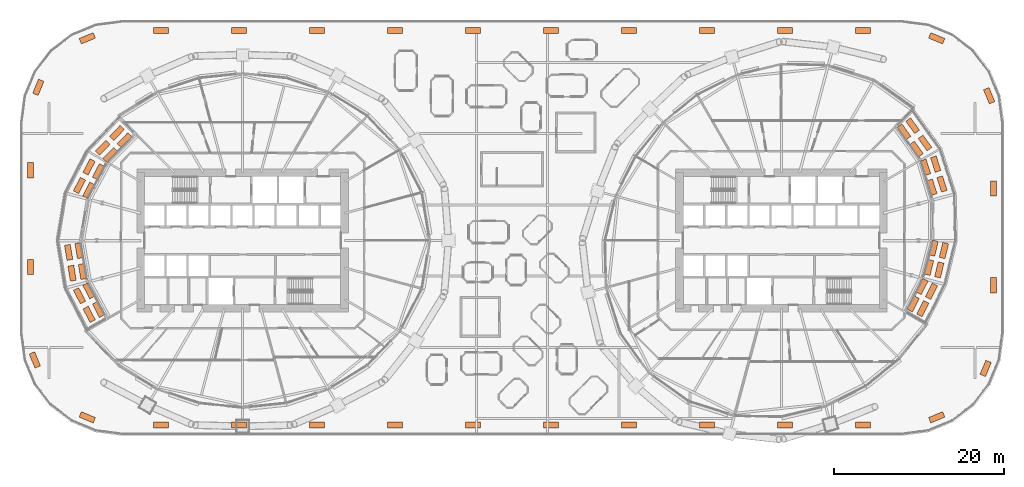
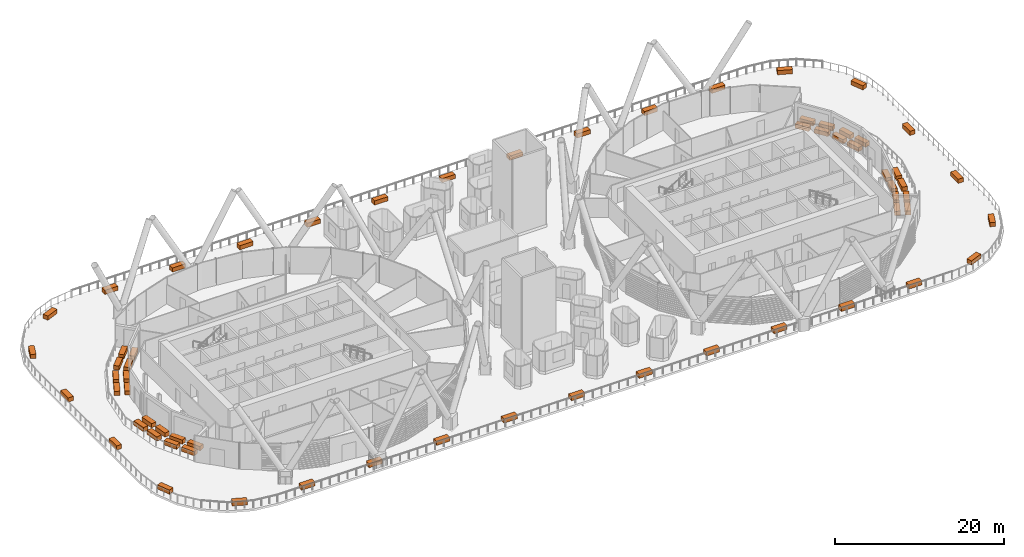
# One storey, part 47 of 47: 64 proxies.
"""IFC4 building model written with IfcOpenShell, lengths in metres."""

from ifc_helpers import new_model, si_unit, direction, frame, origin, origin_2d, place, context, subcontext, project, spatial, rectangle, extrude, material, type_object, element, save


model = new_model("IFC4")

# Units and contexts
model_context = context("Model", 3, precision=1e-05, world=origin(), true_north=direction((0.0, 1.0)))
body_context = subcontext(model_context, "Body", "Model", "MODEL_VIEW")
ifc_project = project(units=[si_unit("LENGTHUNIT", "METRE"), si_unit("AREAUNIT", "SQUARE_METRE"), si_unit("VOLUMEUNIT", "CUBIC_METRE"), si_unit("PLANEANGLEUNIT", "RADIAN"), si_unit("MASSUNIT", "GRAM", prefix="KILO")], contexts=[model_context])

# Site, building, storey
site_placement = place(None, origin())
site = spatial("IfcSite", under=ifc_project, at=site_placement, CompositionType="ELEMENT")
building_placement = place(site_placement, origin())
building = spatial("IfcBuilding", under=site, at=building_placement, Name="Rimbun Link Towers", CompositionType="ELEMENT")
storey_placement = place(building_placement, frame((0.0, 0.0, 30.0)))
storey = spatial("IfcBuildingStorey", under=building, at=storey_placement, Name="L06", CompositionType="ELEMENT", Elevation=30.0)

# Proxies
ifc_material = material(Name="Concrete C30/37", Category="concrete")
building_element_proxy_type = type_object("IfcBuildingElementProxyType", Name="PLANTER precast box 1800X700X600", PredefinedType="USERDEFINED", material=ifc_material)
for number, where, z_axis, x_axis, name in (
    (1, (-46.57373046875, 12.684814453125, 0.0), (0.0, 0.0, 1.0), (-0.692055501744, -0.721844292424, 0.0), "PLANTER"),
    (2, (-45.67138671875, 11.819580078125, 0.0), (0.0, 0.0, 1.0), (-0.692055501744, -0.721844292424, 0.0), "PLANTER"),
    (3, (-48.247314453125, 10.93896484375, 0.0), (0.0, 0.0, 1.0), (-0.692055501744, -0.721844292424, 0.0), "PLANTER"),
    (4, (-47.344970703125, 10.073974609375, 0.0), (0.0, 0.0, 1.0), (-0.692055501744, -0.721844292424, 0.0), "PLANTER"),
    (5, (-49.857666015625, 8.680908203125, 0.0), (0.0, 0.0, 1.0), (-0.459548466118, -0.888152693678, 0.0), "PLANTER"),
    (6, (-48.74755859375, 8.1064453125, 0.0), (0.0, 0.0, 1.0), (-0.459548466118, -0.888152693678, 0.0), "PLANTER"),
    (7, (-50.989013671875, 6.494384765625, 0.0), (0.0, 0.0, 1.0), (-0.459548466118, -0.888152693678, 0.0), "PLANTER"),
    (8, (-49.87890625, 5.919921875, 0.0), (0.0, 0.0, 1.0), (-0.459548466118, -0.888152693678, 0.0), "PLANTER"),
    (9, (-52.266845703125, -1.3935546875, 0.0), (0.0, 0.0, 1.0), (0.162262978927, -0.986747549108, 0.0), "PLANTER"),
    (10, (-51.033203125, -1.190673828125, 0.0), (0.0, 0.0, 1.0), (0.162262978927, -0.986747549108, 0.0), "PLANTER"),
    (11, (-51.862548828125, -3.851318359375, 0.0), (0.0, 0.0, 1.0), (0.162262978927, -0.986747549108, 0.0), "PLANTER"),
    (12, (-50.629150390625, -3.6484375, 0.0), (0.0, 0.0, 1.0), (0.162262978927, -0.986747549108, 0.0), "PLANTER"),
    (13, (-50.9853515625, -6.501708984375, 0.0), (0.0, 0.0, 1.0), (0.459548466118, -0.888152693678, 0.0), "PLANTER"),
    (14, (-49.875244140625, -5.92724609375, 0.0), (0.0, 0.0, 1.0), (0.459548466118, -0.888152693678, 0.0), "PLANTER"),
    (15, (-49.84814453125, -8.69921875, 0.0), (0.0, 0.0, 1.0), (0.459548466118, -0.888152693678, 0.0), "PLANTER"),
    (16, (-48.738037109375, -8.124755859375, 0.0), (0.0, 0.0, 1.0), (0.459548466118, -0.888152693678, 0.0), "PLANTER"),
    (17, (48.425048828125, -8.03076171875, 0.0), (0.0, 0.0, 1.0), (0.448773200217, 0.893645687489, 0.0), "PLANTER"),
    (18, (47.307861328125, -7.4697265625, 0.0), (0.0, 0.0, 1.0), (0.448773200217, 0.893645687489, 0.0), "PLANTER"),
    (19, (49.453125, -5.9833984375, 0.0), (0.0, 0.0, 1.0), (0.448773200217, 0.893645687489, 0.0), "PLANTER"),
    (20, (48.3359375, -5.42236328125, 0.0), (0.0, 0.0, 1.0), (0.448773200217, 0.893645687489, 0.0), "PLANTER"),
    (21, (50.370849609375, -3.458984375, 0.0), (0.0, 0.0, 1.0), (0.23261266824, 0.972569455913, 0.0), "PLANTER"),
    (22, (49.1552734375, -3.168212890625, 0.0), (0.0, 0.0, 1.0), (0.23261266824, 0.972569455913, 0.0), "PLANTER"),
    (23, (50.915283203125, -1.182861328125, 0.0), (0.0, 0.0, 1.0), (0.23261266824, 0.972569455913, 0.0), "PLANTER"),
    (24, (49.69970703125, -0.89208984375, 0.0), (0.0, 0.0, 1.0), (0.23261266824, 0.972569455913, 0.0), "PLANTER"),
    (25, (50.6923828125, 6.665771484375, 0.0), (0.0, 0.0, 1.0), (-0.303073741351, 0.952967107147, 0.0), "PLANTER"),
    (26, (49.501220703125, 6.287109375, 0.0), (0.0, 0.0, 1.0), (-0.303073741351, 0.952967107147, 0.0), "PLANTER"),
    (27, (49.9462890625, 9.01171875, 0.0), (0.0, 0.0, 1.0), (-0.303073741351, 0.952967107147, 0.0), "PLANTER"),
    (28, (48.755126953125, 8.6328125, 0.0), (0.0, 0.0, 1.0), (-0.303073741351, 0.952967107147, 0.0), "PLANTER"),
    (29, (48.689697265625, 11.505859375, 0.0), (0.0, 0.0, 1.0), (-0.58299812018, 0.812473502255, 0.0), "PLANTER"),
    (30, (47.674072265625, 10.777099609375, 0.0), (0.0, 0.0, 1.0), (-0.58299812018, 0.812473502255, 0.0), "PLANTER"),
    (31, (47.22900390625, 13.541259765625, 0.0), (0.0, 0.0, 1.0), (-0.58299812018, 0.812473502255, 0.0), "PLANTER"),
    (32, (46.213623046875, 12.8125, 0.0), (0.0, 0.0, 1.0), (-0.58299812018, 0.812473502255, 0.0), "PLANTER"),
    (33, (-41.38818359375, -21.75, 0.0), (0.0, 0.0, 1.0), (1.0, 0.0, 0.0), "PLANTER"),
    (34, (-32.19091796875, -21.75, 0.0), (0.0, 0.0, 1.0), (1.0, 0.0, 0.0), "PLANTER"),
    (35, (-22.993408203125, -21.75, 0.0), (0.0, 0.0, 1.0), (1.0, 0.0, 0.0), "PLANTER"),
    (36, (-13.796142578125, -21.75, 0.0), (0.0, 0.0, 1.0), (1.0, 0.0, 0.0), "PLANTER"),
    (37, (-4.5986328125, -21.75, 0.0), (0.0, 0.0, 1.0), (1.0, 0.0, 0.0), "PLANTER"),
    (38, (4.5986328125, -21.75, 0.0), (0.0, 0.0, 1.0), (1.0, 0.0, 0.0), "PLANTER"),
    (39, (13.796142578125, -21.75, 0.0), (0.0, 0.0, 1.0), (1.0, 0.0, 0.0), "PLANTER"),
    (40, (22.993408203125, -21.75, 0.0), (0.0, 0.0, 1.0), (1.0, 0.0, 0.0), "PLANTER"),
    (41, (32.19091796875, -21.75, 0.0), (0.0, 0.0, 1.0), (1.0, 0.0, 0.0), "PLANTER"),
    (42, (41.38818359375, -21.75, 0.0), (0.0, 0.0, 1.0), (1.0, 0.0, 0.0), "PLANTER"),
    (43, (50.068359375, -20.83935546875, 0.0), (0.0, 0.0, 1.0), (0.923881438965, 0.382678829747, 0.0), "PLANTER"),
    (44, (55.83935546875, -15.068359375, 0.0), (0.0, 0.0, 1.0), (0.382678829747, 0.923881438965, 0.0), "PLANTER"),
    (45, (56.75, -5.282470703125, 0.0), (0.0, 0.0, 1.0), (0.0, 1.0, 0.0), "PLANTER"),
    (46, (56.75, 6.12646484375, 0.0), (0.0, 0.0, 1.0), (0.0, 1.0, 0.0), "PLANTER"),
    (47, (56.251953125, 17.072509765625, 0.0), (0.0, 0.0, 1.0), (-0.382678829747, 0.923881438965, 0.0), "PLANTER"),
    (48, (50.068359375, 23.83935546875, 0.0), (0.0, 0.0, 1.0), (-0.923881438965, 0.382678829747, 0.0), "PLANTER"),
    (49, (41.38818359375, 24.75, 0.0), (0.0, 0.0, 1.0), (-1.0, 0.0, 0.0), "PLANTER"),
    (50, (32.19091796875, 24.75, 0.0), (0.0, 0.0, 1.0), (-1.0, 0.0, 0.0), "PLANTER"),
    (51, (22.993408203125, 24.75, 0.0), (0.0, 0.0, 1.0), (-1.0, 0.0, 0.0), "PLANTER"),
    (52, (13.796142578125, 24.75, 0.0), (0.0, 0.0, 1.0), (-1.0, 0.0, 0.0), "PLANTER"),
    (53, (4.5986328125, 24.75, 0.0), (0.0, 0.0, 1.0), (-1.0, 0.0, 0.0), "PLANTER"),
    (54, (-4.5986328125, 24.75, 0.0), (0.0, 0.0, 1.0), (-1.0, 0.0, 0.0), "PLANTER"),
    (55, (-13.796142578125, 24.75, 0.0), (0.0, 0.0, 1.0), (-1.0, 0.0, 0.0), "PLANTER"),
    (56, (-22.993408203125, 24.75, 0.0), (0.0, 0.0, 1.0), (-1.0, 0.0, 0.0), "PLANTER"),
    (57, (-32.19091796875, 24.75, 0.0), (0.0, 0.0, 1.0), (-1.0, 0.0, 0.0), "PLANTER"),
    (58, (-41.38818359375, 24.75, 0.0), (0.0, 0.0, 1.0), (-1.0, 0.0, 0.0), "PLANTER"),
    (59, (-50.068359375, 23.83935546875, 0.0), (0.0, 0.0, 1.0), (-0.923881438965, -0.382678829747, 0.0), "PLANTER"),
    (60, (-55.83935546875, 18.068359375, 0.0), (0.0, 0.0, 1.0), (-0.382678829747, -0.923881438965, 0.0), "PLANTER"),
    (61, (-56.75, 8.282470703125, 0.0), (0.0, 0.0, 1.0), (0.0, -1.0, 0.0), "PLANTER"),
    (62, (-56.75, -3.12646484375, 0.0), (0.0, 0.0, 1.0), (0.0, -1.0, 0.0), "PLANTER"),
    (63, (-56.251953125, -14.072509765625, 0.0), (0.0, 0.0, 1.0), (0.382678829747, -0.923881438965, 0.0), "PLANTER"),
    (64, (-50.068359375, -20.83935546875, 0.0), (0.0, 0.0, 1.0), (0.923881438965, -0.382678829747, 0.0), "PLANTER"),
):
    element("IfcBuildingElementProxy", number, at=place(storey_placement, frame(where, z_axis=z_axis, x_axis=x_axis)), inside=storey, type_object=building_element_proxy_type, Name=name, ObjectType="PLANTER", PredefinedType="USERDEFINED", context=body_context, shape_type="SweptSolid", body=[
        extrude(rectangle(XDim=1.800048828125, YDim=0.699951171875, at=origin_2d()), origin(), (0.0, 0.0, 1.0), 0.60009765625),
    ])

save(model, "model.ifc")
